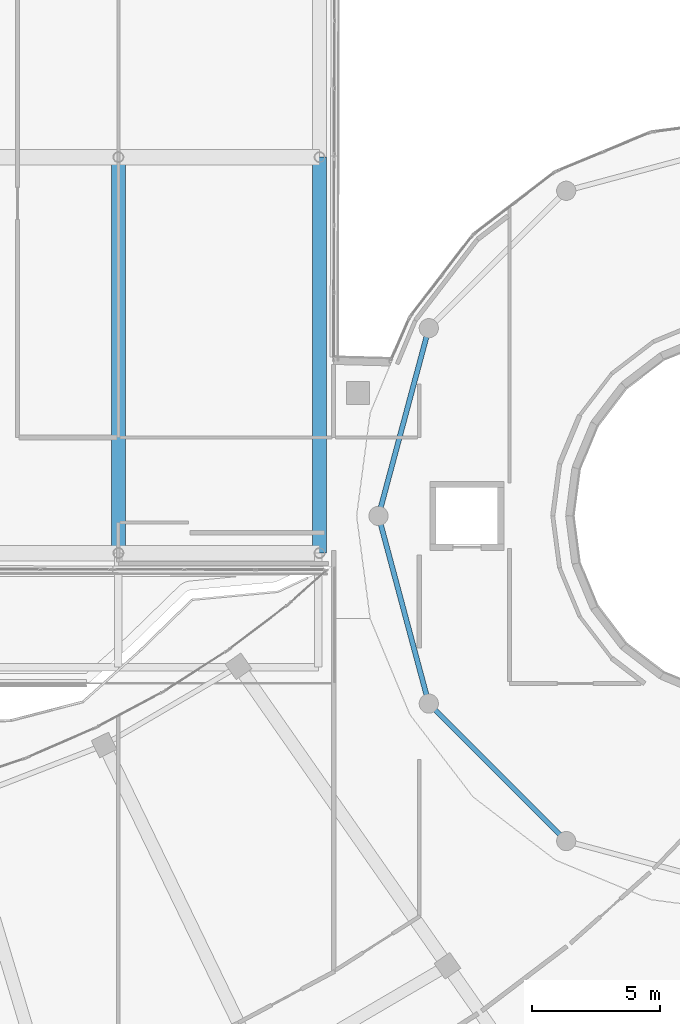
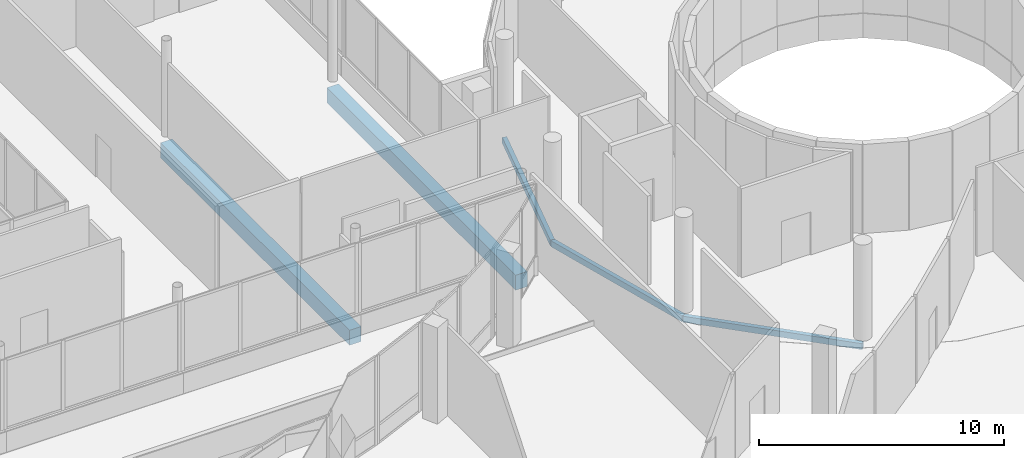
# One storey, part 57 of 168: 5 beams.
"""IFC4 building model written with IfcOpenShell, lengths in metres."""

from ifc_helpers import new_model, si_unit, direction, frame, origin, origin_2d, place, context, subcontext, project, spatial, rectangle, hollow_rectangle, extrude, material, material_profile, profile_set, type_object, element, save


model = new_model("IFC4")

# Units and contexts
model_context = context("Model", 3, precision=1e-05, world=origin(), true_north=direction((0.0, 1.0)))
body_context = subcontext(model_context, "Body", "Model", "MODEL_VIEW")
ifc_project = project(units=[si_unit("LENGTHUNIT", "METRE"), si_unit("AREAUNIT", "SQUARE_METRE"), si_unit("VOLUMEUNIT", "CUBIC_METRE"), si_unit("PLANEANGLEUNIT", "RADIAN"), si_unit("MASSUNIT", "GRAM", prefix="KILO")], contexts=[model_context])

# Site, building, storey
site_placement = place(None, origin())
site = spatial("IfcSite", under=ifc_project, at=site_placement, CompositionType="ELEMENT")
building_placement = place(site_placement, origin())
building = spatial("IfcBuilding", under=site, at=building_placement, Name="Selatvlak General Hospital", CompositionType="ELEMENT")
storey_placement = place(building_placement, frame((0.0, 0.0, 5.39990234375)))
storey = spatial("IfcBuildingStorey", under=building, at=storey_placement, Name="L01", CompositionType="ELEMENT", Elevation=5.39990234375)

# Beams
ifc_material_1 = material(Name="Concrete C40/50", Category="concrete")
ifc_material_profile_1 = material_profile(ifc_material_1, rectangle(XDim=0.550048828125, YDim=0.75, at=origin_2d()), Name="RC-BM 550x750")
ifc_profile_set_1 = profile_set([ifc_material_profile_1], Name="Concrete C40/50")
beam_type_1 = type_object("IfcBeamType", Name="BM-G02", PredefinedType="BEAM", material=ifc_profile_set_1)
for number, where, z_axis, x_axis, name in (
    (1, (73.199951171875, 52.550048828125, -0.69482421875), (0.0, 1.0, 0.0), (-1.0, 0.0, 0.0), "Beam BMR-L01-0588"),
    (2, (81.050048828125, 52.550048828125, -0.69482421875), (0.0, 1.0, 0.0), (-1.0, 0.0, 0.0), "Beam BMR-L01-0595"),
):
    element("IfcBeam", number, at=place(storey_placement, frame(where, z_axis=z_axis, x_axis=x_axis)), inside=storey, type_object=beam_type_1, Name=name, PredefinedType="BEAM", context=body_context, shape_type="SweptSolid", body=[
        extrude(rectangle(XDim=0.550048828125, YDim=0.75, at=origin_2d()), origin(), (0.0, 0.0, 1.0), 15.449951171875),
    ])
ifc_material_2 = material(Name="Steel S355", Category="steel")
ifc_material_profile_2 = material_profile(ifc_material_2, hollow_rectangle(XDim=0.199951171875, YDim=0.300048828125, WallThickness=0.011962890625, at=origin_2d()), Name="RHS 300x200x12")
ifc_profile_set_2 = profile_set([ifc_material_profile_2], Name="Steel S355")
beam_type_2 = type_object("IfcBeamType", Name="BM-SP3", PredefinedType="SPANDREL", material=ifc_profile_set_2)
beam_placement = place(storey_placement, frame((85.31298828125, 46.675048828125, -0.469970703125), z_axis=(0.707106781187, -0.707106781187, 0.0), x_axis=(0.707106781187, 0.707106781187, 0.0)))
element("IfcBeam", 3, at=beam_placement, inside=storey, type_object=beam_type_2, Name="Beam BMR-L01-0706", PredefinedType="SPANDREL", context=body_context, shape_type="SweptSolid", body=[
    extrude(hollow_rectangle(XDim=0.199951171875, YDim=0.300048828125, WallThickness=0.011962890625, at=origin_2d()), origin(), (0.0, 0.0, 1.0), 7.5830078125),
])
for number, where, z_axis, x_axis, name in (
    (4, (85.31298828125, 61.324951171875, -0.469970703125), (-0.25884068345, -0.965920028052, 0.0), (0.965920028052, -0.25884068345, 0.0), "Beam BMR-L01-0716"),
    (5, (83.35009765625, 54.0, -0.469970703125), (0.25884068345, -0.965920028052, 0.0), (0.965920028052, 0.25884068345, 0.0), "Beam BMR-L01-0717"),
):
    element("IfcBeam", number, at=place(storey_placement, frame(where, z_axis=z_axis, x_axis=x_axis)), inside=storey, type_object=beam_type_2, Name=name, PredefinedType="SPANDREL", context=body_context, shape_type="SweptSolid", body=[
        extrude(hollow_rectangle(XDim=0.199951171875, YDim=0.300048828125, WallThickness=0.011962890625, at=origin_2d()), origin(), (0.0, 0.0, 1.0), 7.58349609375),
    ])

save(model, "model.ifc")
